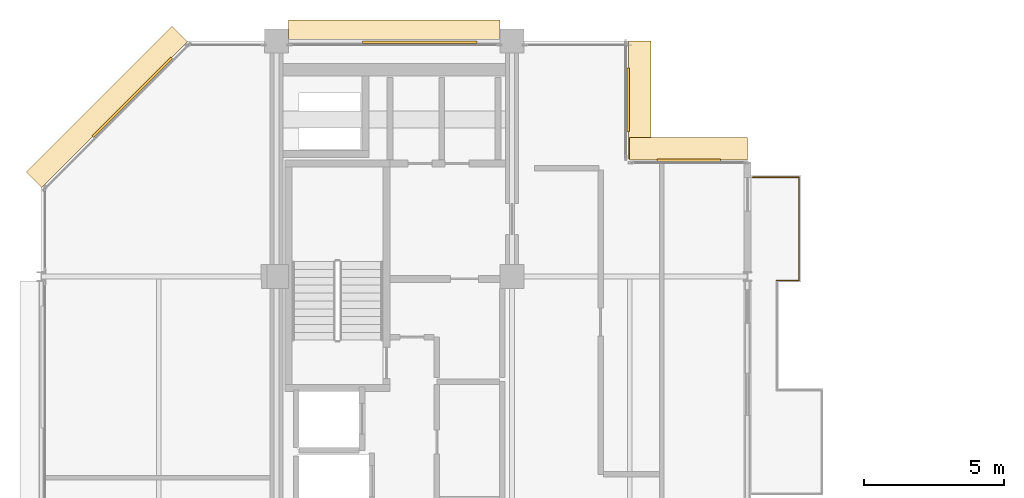
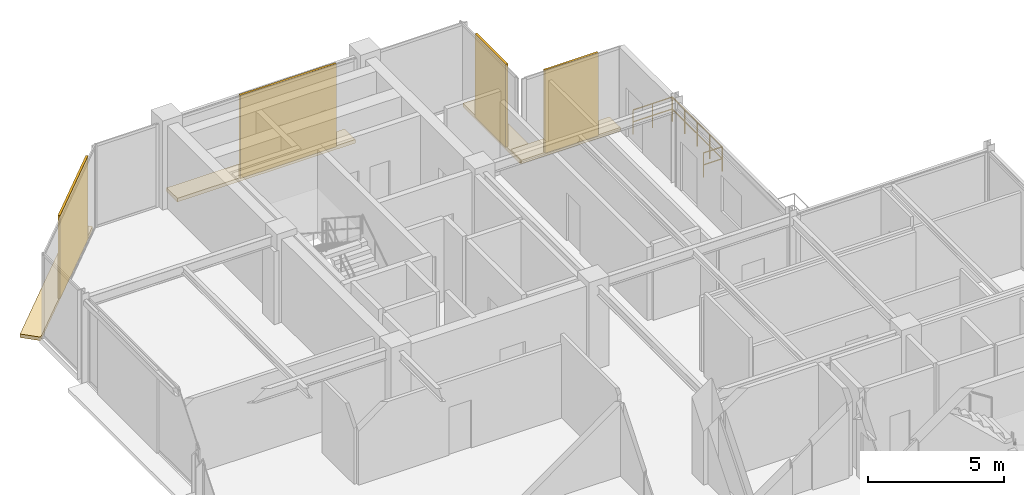
# One storey, part 25 of 25: 8 coverings, 3 railings.
"""IFC4 building model written with IfcOpenShell, lengths in metres."""

import ifcopenshell
import ifcopenshell.guid

model = None  # the IFC model being written
_history = None  # IfcOwnerHistory: only IFC2X3 demands one
_inside = {}  # id of a spatial element -> (the spatial element, [elements in it])
_under = {}  # id of a project, library or spatial element -> (it, [spatial elements below it])
_declared = {}  # id of a project -> (the project, [libraries it declares])
_typed = {}  # id of a type object -> (the type object, [elements of that type])
_made_of = {}  # id of a material, layer set ... -> (it, [elements and type objects made of it])


def new_model(schema):
    """Start an empty IFC model of exactly this schema.

    Asked for "IFC4X3", IfcOpenShell would pick the latest addendum, in which some entities
    have other attributes; the version numbers below select the first issue.
    IFC2X3 requires an IfcOwnerHistory on every rooted entity: one is made here for all.
    """
    global model, _history
    if schema == "IFC4X3":
        model = ifcopenshell.file(schema_version=(4, 3, 0, 0))
    else:
        model = ifcopenshell.file(schema=schema)
    _inside.clear()
    _under.clear()
    _declared.clear()
    _typed.clear()
    _made_of.clear()
    _history = None
    if model.schema == "IFC2X3":
        org = make("IfcOrganization", Name="unknown")
        user = make(
            "IfcPersonAndOrganization",
            ThePerson=make("IfcPerson", FamilyName="unknown"),
            TheOrganization=org,
        )
        app = make(
            "IfcApplication",
            ApplicationDeveloper=org,
            Version="unknown",
            ApplicationFullName="unknown",
            ApplicationIdentifier="unknown",
        )
        _history = make(
            "IfcOwnerHistory",
            OwningUser=user,
            OwningApplication=app,
            ChangeAction="ADDED",
            CreationDate=0,
        )
    return model


def make(cls, **values):
    """One entity of the class cls with the attributes given. An attribute that is None is left unset."""
    return model.create_entity(
        cls, **{name: value for name, value in values.items() if value is not None}
    )


def rooted(cls, **values):
    """An entity with a GlobalId (a new one), such as an element, a storey or a relation."""
    return make(cls, GlobalId=ifcopenshell.guid.new(), OwnerHistory=_history, **values)


def si_unit(unit_type, name, prefix=None):
    """IfcSIUnit, for example si_unit("LENGTHUNIT", "METRE", prefix="MILLI")."""
    return make("IfcSIUnit", UnitType=unit_type, Prefix=prefix, Name=name)


def assignment(units):
    """IfcUnitAssignment: the units of a project."""
    return None if units is None else make("IfcUnitAssignment", Units=units)


def point(xyz):
    """IfcCartesianPoint."""
    return None if xyz is None else make("IfcCartesianPoint", Coordinates=xyz)


def direction(xyz):
    """IfcDirection."""
    return None if xyz is None else make("IfcDirection", DirectionRatios=xyz)


def frame(location, z_axis=None, x_axis=None):
    """IfcAxis2Placement3D, a coordinate frame: its origin and axes. An axis left out is left unset."""
    return make(
        "IfcAxis2Placement3D",
        Location=point(location),
        Axis=direction(z_axis),
        RefDirection=direction(x_axis),
    )


def frame_2d(location, x_axis=None):
    """IfcAxis2Placement2D, a coordinate frame in the plane: its origin and x axis."""
    return make(
        "IfcAxis2Placement2D", Location=point(location), RefDirection=direction(x_axis)
    )


def origin():
    """The frame at (0, 0, 0) with its axes left unset."""
    return frame((0.0, 0.0, 0.0))


def origin_2d():
    """The frame at (0, 0) in the plane with its x axis left unset."""
    return frame_2d((0.0, 0.0))


def place(relative_to, where):
    """IfcLocalPlacement: puts the frame where relative to a parent placement (None: the world)."""
    return make(
        "IfcLocalPlacement", PlacementRelTo=relative_to, RelativePlacement=where
    )


def context(
    kind, dimensions, precision=None, world=None, true_north=None, identifier=None
):
    """IfcGeometricRepresentationContext, for example the 3D "Model" context."""
    return make(
        "IfcGeometricRepresentationContext",
        ContextIdentifier=identifier,
        ContextType=kind,
        CoordinateSpaceDimension=dimensions,
        Precision=precision,
        WorldCoordinateSystem=world,
        TrueNorth=true_north,
    )


def subcontext(parent, identifier, kind, view, scale=None):
    """IfcGeometricRepresentationSubContext, for example "Body" below "Model"."""
    return make(
        "IfcGeometricRepresentationSubContext",
        ContextIdentifier=identifier,
        ContextType=kind,
        ParentContext=parent,
        TargetScale=scale,
        TargetView=view,
    )


def project(units=None, contexts=None):
    """IfcProject with its units and contexts."""
    return rooted(
        "IfcProject",
        Name="project",
        RepresentationContexts=contexts,
        UnitsInContext=assignment(units),
    )


def spatial(cls, under=None, at=None, **own):
    """A site, building, storey or space (cls), placed at a placement, below another one or the project."""
    s = rooted(cls, ObjectPlacement=at, **own)
    if under is not None:
        _under.setdefault(under.id(), (under, []))[1].append(s)
    return s


def polyline(points):
    """IfcPolyline through the points."""
    return make("IfcPolyline", Points=[point(p) for p in points])


def profile(cls, at=None, kind="AREA", **sizes):
    """A parametric profile (cls). Its sizes go by their IFC names, for example OverallWidth=200.0."""
    return make(cls, ProfileType=kind, Position=at, **sizes)


def rectangle(**sizes):
    """IfcRectangleProfileDef."""
    return profile("IfcRectangleProfileDef", **sizes)


def circle(**sizes):
    """IfcCircleProfileDef."""
    return profile("IfcCircleProfileDef", **sizes)


def outline(outer, holes=None, kind="AREA"):
    """IfcArbitraryClosedProfileDef: a profile drawn as a closed curve; with holes, ...WithVoids."""
    if holes is None:
        return make("IfcArbitraryClosedProfileDef", ProfileType=kind, OuterCurve=outer)
    return make(
        "IfcArbitraryProfileDefWithVoids",
        ProfileType=kind,
        OuterCurve=outer,
        InnerCurves=holes,
    )


def extrude(swept, where, along, depth):
    """IfcExtrudedAreaSolid: the profile swept, set in the frame where, extruded along a direction by depth."""
    return make(
        "IfcExtrudedAreaSolid",
        SweptArea=swept,
        Position=where,
        ExtrudedDirection=direction(along),
        Depth=depth,
    )


def shape(context_of_items, identifier, shape_type, items):
    """IfcShapeRepresentation: the items that make up one representation, for example the "Body"."""
    return make(
        "IfcShapeRepresentation",
        ContextOfItems=context_of_items,
        RepresentationIdentifier=identifier,
        RepresentationType=shape_type,
        Items=items,
    )


def material(Name=None, Category=None):
    """IfcMaterial."""
    return make("IfcMaterial", Name=Name, Category=Category)


def layer(
    of_material, thickness, ventilated=None, Name=None, Category=None, Priority=None
):
    """IfcMaterialLayer: one layer of a wall or slab, of a material (None: an air gap)."""
    return make(
        "IfcMaterialLayer",
        Material=of_material,
        LayerThickness=thickness,
        IsVentilated=ventilated,
        Name=Name,
        Category=Category,
        Priority=Priority,
    )


def layer_set(layers, Name=None):
    """IfcMaterialLayerSet."""
    return make("IfcMaterialLayerSet", MaterialLayers=layers, LayerSetName=Name)


def made_of(thing, what):
    """Note that an element or type object is made of a material, layer set ...; save() writes the relation."""
    if what is not None:
        _made_of.setdefault(what.id(), (what, []))[1].append(thing)
    return thing


def type_object(cls, material=None, **own):
    """A type object (cls), such as IfcWallType, which elements share."""
    return made_of(rooted(cls, **own), material)


def element(
    cls,
    number,
    at=None,
    inside=None,
    cuts=None,
    type_object=None,
    material=None,
    context=None,
    identifier="Body",
    shape_type=None,
    held_by="IfcProductDefinitionShape",
    body=None,
    shapes=None,
    **own,
):
    """One element of the class cls, such as IfcWall. Its Tag is "e" and its number.

    at: its placement. inside: the storey or other place that contains it. cuts: it is an
    opening in that element (IfcRelVoidsElement). A single representation is given by context,
    identifier, shape_type and body (its items); several are given by shapes. held_by: the class
    of the entity that holds the representations. save() writes the other relations.
    """
    e = rooted(cls, Tag="e%d" % number, ObjectPlacement=at, **own)
    if body is not None:
        shapes = [shape(context, identifier, shape_type, body)]
    if shapes is not None:
        e.Representation = make(held_by, Representations=shapes)
    if inside is not None:
        _inside.setdefault(inside.id(), (inside, []))[1].append(e)
    if cuts is not None:
        rooted(
            "IfcRelVoidsElement", RelatingBuildingElement=cuts, RelatedOpeningElement=e
        )
    if type_object is not None:
        _typed.setdefault(type_object.id(), (type_object, []))[1].append(e)
    return made_of(e, material)


def aggregate(whole, parts):
    """IfcRelAggregates: a whole, such as a stair, and the parts it consists of."""
    return rooted("IfcRelAggregates", RelatingObject=whole, RelatedObjects=parts)


def save(model, path):
    """Write the relations noted so far, then the file.

    IfcRelAggregates (storeys below a building ...), IfcRelContainedInSpatialStructure (elements
    in a storey), IfcRelDefinesByType, IfcRelAssociatesMaterial and IfcRelDeclares: one each for
    every whole, place, type object, material and project.
    """
    for whole, parts in _under.values():
        aggregate(whole, parts)
    for where, things in _inside.values():
        rooted(
            "IfcRelContainedInSpatialStructure",
            RelatedElements=things,
            RelatingStructure=where,
        )
    for kind, things in _typed.values():
        rooted("IfcRelDefinesByType", RelatedObjects=things, RelatingType=kind)
    for what, things in _made_of.values():
        rooted("IfcRelAssociatesMaterial", RelatedObjects=things, RelatingMaterial=what)
    for by, libraries in _declared.values():
        rooted("IfcRelDeclares", RelatingContext=by, RelatedDefinitions=libraries)
    model.write(path)


model = new_model("IFC4")

# Units and contexts
model_context = context("Model", 3, precision=1e-05, world=origin(), true_north=direction((0.0, 1.0)))
body_context = subcontext(model_context, "Body", "Model", "MODEL_VIEW")
ifc_project = project(units=[si_unit("LENGTHUNIT", "METRE"), si_unit("AREAUNIT", "SQUARE_METRE"), si_unit("VOLUMEUNIT", "CUBIC_METRE"), si_unit("PLANEANGLEUNIT", "RADIAN"), si_unit("MASSUNIT", "GRAM", prefix="KILO")], contexts=[model_context])

# Site, building, storey
site_placement = place(None, origin())
site = spatial("IfcSite", under=ifc_project, at=site_placement, CompositionType="ELEMENT")
building_placement = place(site_placement, origin())
building = spatial("IfcBuilding", under=site, at=building_placement, Name="Nerrivon Quay Data Exchange", CompositionType="ELEMENT")
storey_placement = place(building_placement, frame((0.0, 0.0, 290.199951171875)))
storey = spatial("IfcBuildingStorey", under=building, at=storey_placement, Name="L69", CompositionType="ELEMENT", Elevation=290.199951171875)

# Coverings
ifc_material_1 = material(Name="Architectural terracotta ceramic", Category="masonry")
ifc_layer_1 = layer(ifc_material_1, 0.159912109375)
ifc_layer_set_1 = layer_set([ifc_layer_1], Name="Architectural terracotta ceramic")
covering_type_1 = type_object("IfcCoveringType", Name="COV-BLD-TERR", PredefinedType="CLADDING", material=ifc_layer_set_1)
covering_1_placement = place(storey_placement, frame((0.0, 0.0, -0.159912109375)))
element("IfcCovering", 1, at=covering_1_placement, inside=storey, type_object=covering_type_1, Name="L69 Horizontal Terracotta SOLAR SCREEN Blade", PredefinedType="CLADDING", context=body_context, shape_type="SweptSolid", body=[
    extrude(outline(polyline([(0.0283203125, 36.771728515625), (5.228271484375, 41.9716796875), (4.669677734375, 42.5302734375), (-0.5302734375, 37.330322265625), (0.0283203125, 36.771728515625)])), origin(), (0.0, 0.0, 1.0), 0.159912109375),
])
covering_2_placement = place(storey_placement, frame((0.0, 0.0, -0.159912109375)))
element("IfcCovering", 2, at=covering_2_placement, inside=storey, type_object=covering_type_1, Name="L69 Horizontal Terracotta SOLAR SCREEN Blade", PredefinedType="CLADDING", context=body_context, shape_type="SweptSolid", body=[
    extrude(outline(polyline([(8.824951171875, 41.9599609375), (16.375, 41.9599609375), (16.375, 42.75), (8.824951171875, 42.75), (8.824951171875, 41.9599609375)])), origin(), (0.0, 0.0, 1.0), 0.159912109375),
])
covering_3_placement = place(storey_placement, frame((0.0, 0.0, -0.159912109375)))
element("IfcCovering", 3, at=covering_3_placement, inside=storey, type_object=covering_type_1, Name="L69 Horizontal Terracotta SOLAR SCREEN Blade", PredefinedType="CLADDING", context=body_context, shape_type="SweptSolid", body=[
    extrude(outline(polyline([(20.9599609375, 42.0), (20.9599609375, 37.800048828125), (21.75, 37.800048828125), (21.75, 42.0), (20.9599609375, 42.0)])), origin(), (0.0, 0.0, 1.0), 0.159912109375),
])
covering_4_placement = place(storey_placement, frame((0.0, 0.0, -0.159912109375)))
element("IfcCovering", 4, at=covering_4_placement, inside=storey, type_object=covering_type_1, Name="L69 Horizontal Terracotta SOLAR SCREEN Blade", PredefinedType="CLADDING", context=body_context, shape_type="SweptSolid", body=[
    extrude(outline(polyline([(21.0, 37.760009765625), (25.199951171875, 37.760009765625), (25.199951171875, 38.550048828125), (21.0, 38.550048828125), (21.0, 37.760009765625)])), origin(), (0.0, 0.0, 1.0), 0.159912109375),
])
ifc_layer_2 = layer(ifc_material_1, 0.090087890625)
ifc_layer_set_2 = layer_set([ifc_layer_2], Name="Architectural terracotta ceramic")
covering_type_2 = type_object("IfcCoveringType", Name="COV-SCR-TERR", PredefinedType="CLADDING", material=ifc_layer_set_2)
covering_5_placement = place(storey_placement, frame((3.255859375, 39.9921875, 0.0), z_axis=(0.0, 0.0, 1.0), x_axis=(0.707106781187, 0.707106781187, 0.0)))
element("IfcCovering", 5, at=covering_5_placement, inside=storey, type_object=covering_type_2, Name="L69 Perforated Terracotta SOLAR SCREEN Cassette", PredefinedType="CLADDING", context=body_context, shape_type="SweptSolid", body=[
    extrude(rectangle(XDim=3.970947265625, YDim=0.090087890625, at=origin_2d()), origin(), (0.0, 0.0, 1.0), 3.72509765625),
])
covering_6_placement = place(storey_placement, frame((13.506103515625, 41.955078125, 0.0), z_axis=(0.0, 0.0, 1.0), x_axis=(1.0, 0.0, 0.0)))
element("IfcCovering", 6, at=covering_6_placement, inside=storey, type_object=covering_type_2, Name="L69 Perforated Terracotta SOLAR SCREEN Cassette", PredefinedType="CLADDING", context=body_context, shape_type="SweptSolid", body=[
    extrude(rectangle(XDim=4.076904296875, YDim=0.090087890625, at=origin_2d()), origin(), (0.0, 0.0, 1.0), 3.72509765625),
])
for number, where, z_axis, x_axis, name in (
    (7, (20.955078125, 39.89990234375, 0.0), (0.0, 0.0, 1.0), (0.0, -1.0, 0.0), "L69 Perforated Terracotta SOLAR SCREEN Cassette"),
    (8, (23.10009765625, 37.7548828125, 0.0), (0.0, 0.0, 1.0), (1.0, 0.0, 0.0), "L69 Perforated Terracotta SOLAR SCREEN Cassette"),
):
    element("IfcCovering", number, at=place(storey_placement, frame(where, z_axis=z_axis, x_axis=x_axis)), inside=storey, type_object=covering_type_2, Name=name, PredefinedType="CLADDING", context=body_context, shape_type="SweptSolid", body=[
        extrude(rectangle(XDim=2.26806640625, YDim=0.090087890625, at=origin_2d()), origin(), (0.0, 0.0, 1.0), 3.72509765625),
    ])

# Railings
ifc_material_2 = material(Name="Steel Grade C350L0 (350 MPa)", Category="steel")
railing_type = type_object("IfcRailingType", Name="RAIL-GUARD-GR2", PredefinedType="BALUSTRADE", material=ifc_material_2)
railing_1_placement = place(storey_placement, frame((25.3798828125, 37.139892578125, 0.0)))
element("IfcRailing", 9, at=railing_1_placement, inside=storey, type_object=railing_type, Name="L69 Verandah Balcony Guard 1.4 1", PredefinedType="BALUSTRADE", context=body_context, shape_type="SweptSolid", body=[
    extrude(circle(Radius=0.02392578125, at=origin_2d()), frame((0.0, 0.0, 1.09619140625), z_axis=(1.0, 0.0, 0.0), x_axis=(0.0, 1.0, 0.0)), (0.0, 0.0, 1.0), 1.66015625),
    extrude(circle(Radius=0.02392578125, at=origin_2d()), frame((0.0, 0.0, 0.56005859375), z_axis=(1.0, 0.0, 0.0), x_axis=(0.0, 1.0, 0.0)), (0.0, 0.0, 1.0), 1.66015625),
    extrude(circle(Radius=0.02099609375, at=origin_2d()), origin(), (0.0, 0.0, 1.0), 1.072021484375),
    extrude(circle(Radius=0.02099609375, at=origin_2d()), frame((0.830078125, 0.0, 0.0)), (0.0, 0.0, 1.0), 1.072021484375),
    extrude(circle(Radius=0.02099609375, at=origin_2d()), frame((1.66015625, 0.0, 0.0)), (0.0, 0.0, 1.0), 1.072021484375),
])
railing_2_placement = place(storey_placement, frame((27.0400390625, 37.139892578125, 0.0)))
element("IfcRailing", 10, at=railing_2_placement, inside=storey, type_object=railing_type, Name="L69 Verandah Balcony Guard 1.5 1", PredefinedType="BALUSTRADE", context=body_context, shape_type="SweptSolid", body=[
    extrude(circle(Radius=0.02392578125, at=origin_2d()), frame((0.0, 0.0, 1.09619140625), z_axis=(0.0, -1.0, 0.0), x_axis=(1.0, 0.0, 0.0)), (0.0, 0.0, 1.0), 3.679931640625),
    extrude(circle(Radius=0.02392578125, at=origin_2d()), frame((0.0, 0.0, 0.56005859375), z_axis=(0.0, -1.0, 0.0), x_axis=(1.0, 0.0, 0.0)), (0.0, 0.0, 1.0), 3.679931640625),
    extrude(circle(Radius=0.02099609375, at=origin_2d()), origin(), (0.0, 0.0, 1.0), 1.072021484375),
    extrude(circle(Radius=0.02099609375, at=origin_2d()), frame((0.0, -0.919921875, 0.0)), (0.0, 0.0, 1.0), 1.072021484375),
    extrude(circle(Radius=0.02099609375, at=origin_2d()), frame((0.0, -1.83984375, 0.0)), (0.0, 0.0, 1.0), 1.072021484375),
    extrude(circle(Radius=0.02099609375, at=origin_2d()), frame((0.0, -2.760009765625, 0.0)), (0.0, 0.0, 1.0), 1.072021484375),
    extrude(circle(Radius=0.02099609375, at=origin_2d()), frame((0.0, -3.679931640625, 0.0)), (0.0, 0.0, 1.0), 1.072021484375),
])
railing_3_placement = place(storey_placement, frame((27.0400390625, 33.4599609375, 0.0)))
element("IfcRailing", 11, at=railing_3_placement, inside=storey, type_object=railing_type, Name="L69 Verandah Balcony Guard 1.6 1", PredefinedType="BALUSTRADE", context=body_context, shape_type="SweptSolid", body=[
    extrude(circle(Radius=0.02392578125, at=origin_2d()), frame((0.0, 0.0, 1.09619140625), z_axis=(-1.0, 0.0, 0.0), x_axis=(0.0, -1.0, 0.0)), (0.0, 0.0, 1.0), 0.800048828125),
    extrude(circle(Radius=0.02392578125, at=origin_2d()), frame((0.0, 0.0, 0.56005859375), z_axis=(-1.0, 0.0, 0.0), x_axis=(0.0, -1.0, 0.0)), (0.0, 0.0, 1.0), 0.800048828125),
    extrude(circle(Radius=0.02099609375, at=origin_2d()), origin(), (0.0, 0.0, 1.0), 1.072021484375),
    extrude(circle(Radius=0.02099609375, at=origin_2d()), frame((-0.800048828125, 0.0, 0.0)), (0.0, 0.0, 1.0), 1.072021484375),
])

save(model, "model.ifc")
